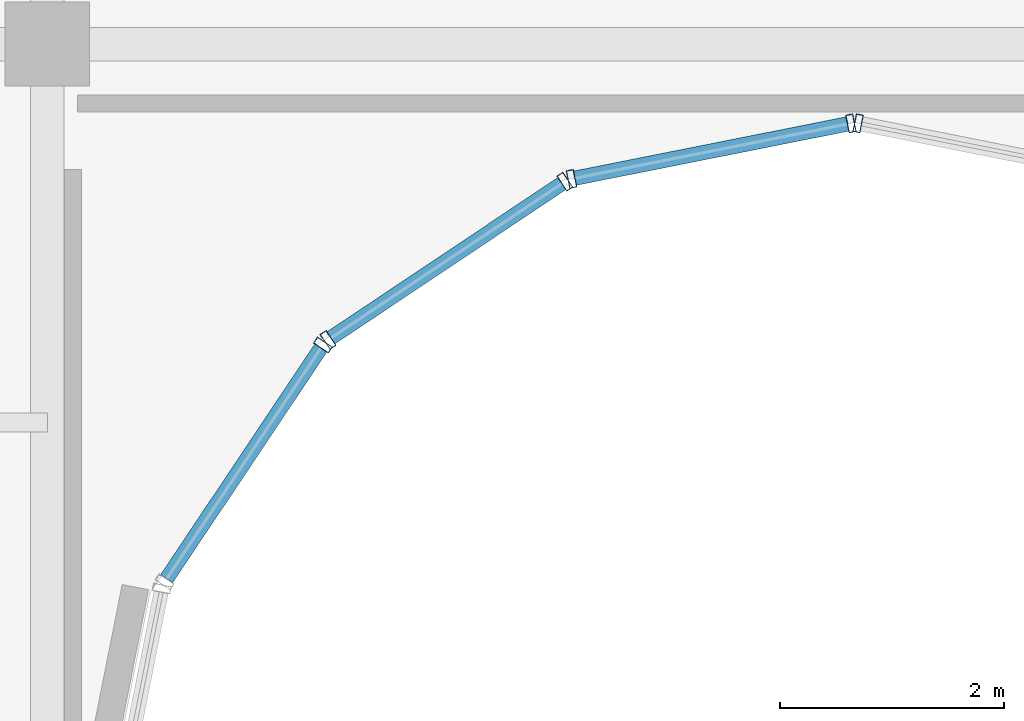
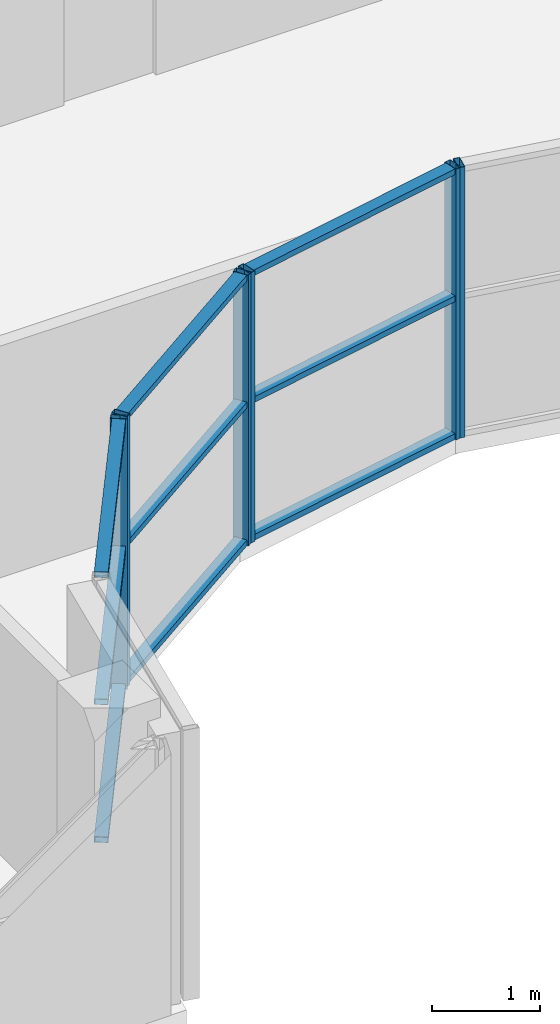
# One storey, part 5 of 29: 15 members, 4 elements without a shape of their own.
"""IFC4 building model written with IfcOpenShell, lengths in metres."""

from ifc_helpers import new_model, si_unit, direction, frame, origin, origin_2d, place, context, subcontext, project, spatial, hollow_rectangle, extrude, source, transform, mapped, material, layer, layer_set, material_profile, profile_set, type_object, element, aggregate, save


model = new_model("IFC4")

# Units and contexts
model_context = context("Model", 3, precision=1e-05, world=origin(), true_north=direction((0.0, 1.0)))
body_context = subcontext(model_context, "Body", "Model", "MODEL_VIEW")
ifc_project = project(units=[si_unit("LENGTHUNIT", "METRE"), si_unit("AREAUNIT", "SQUARE_METRE"), si_unit("VOLUMEUNIT", "CUBIC_METRE"), si_unit("PLANEANGLEUNIT", "RADIAN"), si_unit("MASSUNIT", "GRAM", prefix="KILO")], contexts=[model_context])

# Site, building, storey
site_placement = place(None, origin())
site = spatial("IfcSite", under=ifc_project, at=site_placement, CompositionType="ELEMENT")
building_placement = place(site_placement, origin())
building = spatial("IfcBuilding", under=site, at=building_placement, Name="Zarnakvel Exchange Tower", CompositionType="ELEMENT")
storey_placement = place(building_placement, frame((0.0, 0.0, 258.39990234375)))
storey = spatial("IfcBuildingStorey", under=building, at=storey_placement, Name="L73", CompositionType="ELEMENT", Elevation=258.39990234375)

# Curtain wall, member
ifc_material = material(Name="Architectural Bronze Anodised Aluminium", Category="aluminium")
ifc_layer = layer(ifc_material, 0.159912109375)
ifc_layer_set = layer_set([ifc_layer], Name="Architectural Bronze Anodised Aluminium")
curtain_wall_type = type_object("IfcCurtainWallType", Name="CW-06", PredefinedType="NOTDEFINED", material=ifc_layer_set)
curtain_wall_1_placement = place(storey_placement, origin())
curtain_wall_1 = element("IfcCurtainWall", 1, at=curtain_wall_1_placement, inside=storey, type_object=curtain_wall_type, Name="L73 Curtain Wall CW-L73-NC2 (CW-06)", PredefinedType="NOTDEFINED")
ifc_material_profile_1 = material_profile(ifc_material, hollow_rectangle(XDim=0.159912109375, YDim=0.06494140625, WallThickness=0.00390625, at=origin_2d()))
ifc_profile_set_1 = profile_set([ifc_material_profile_1], Name="Architectural Bronze Anodised Aluminium")
member_type_1 = type_object("IfcMemberType", Name="CWM-06", PredefinedType="MULLION", material=ifc_profile_set_1)
shared_shape_1 = source(origin(), body_context, "Body", "SweptSolid", [
    extrude(hollow_rectangle(XDim=0.159912109375, YDim=0.06494140625, WallThickness=0.00390625, at=origin_2d()), origin(), (0.0, 0.0, 1.0), 3.05517578125),
])
member_1_placement = place(storey_placement, frame((-4.741455078125, -12.283447265625, 0.0), z_axis=(0.0, 0.0, 1.0), x_axis=(-0.831469612089, 0.555570233339, 0.0)))
member_1 = element("IfcMember", 2, at=member_1_placement, type_object=member_type_1, Name="CW-06 mullion 2", PredefinedType="MULLION", context=body_context, shape_type="MappedRepresentation", body=[
    mapped(shared_shape_1, transform((0.0, 0.0, 0.0), x_axis=(1.0, 0.0, 0.0), y_axis=(0.0, 1.0, 0.0), z_axis=(0.0, 0.0, 1.0), scale=1.0)),
])

# Curtain wall, members
curtain_wall_2_placement = place(storey_placement, origin())
curtain_wall_2 = element("IfcCurtainWall", 3, at=curtain_wall_2_placement, inside=storey, type_object=curtain_wall_type, Name="L73 Curtain Wall CW-L73-NC3 (CW-06)", PredefinedType="NOTDEFINED")
member_2_placement = place(storey_placement, frame((-4.696533203125, -12.238525390625, 0.0), z_axis=(0.0, 0.0, 1.0), x_axis=(-0.555570233339, 0.831469612089, 0.0)))
member_2 = element("IfcMember", 4, at=member_2_placement, type_object=member_type_1, Name="CW-06 mullion 1", PredefinedType="MULLION", context=body_context, shape_type="MappedRepresentation", body=[
    mapped(shared_shape_1, transform((0.0, 0.0, 0.0), x_axis=(1.0, 0.0, 0.0), y_axis=(0.0, 1.0, 0.0), z_axis=(0.0, 0.0, 1.0), scale=1.0)),
])
member_3_placement = place(storey_placement, frame((-2.583251953125, -10.82666015625, 0.0), z_axis=(0.0, 0.0, 1.0), x_axis=(-0.555570233339, 0.831469612089, 0.0)))
member_3 = element("IfcMember", 5, at=member_3_placement, type_object=member_type_1, Name="CW-06 mullion 2", PredefinedType="MULLION", context=body_context, shape_type="MappedRepresentation", body=[
    mapped(shared_shape_1, transform((0.0, 0.0, 0.0), x_axis=(1.0, 0.0, 0.0), y_axis=(0.0, 1.0, 0.0), z_axis=(0.0, 0.0, 1.0), scale=1.0)),
])

curtain_wall_3_placement = place(storey_placement, origin())
curtain_wall_3 = element("IfcCurtainWall", 6, at=curtain_wall_3_placement, inside=storey, type_object=curtain_wall_type, Name="L73 Curtain Wall CW-L73-NC4 (CW-06)", PredefinedType="NOTDEFINED")
member_4_placement = place(storey_placement, frame((-2.5244140625, -10.80224609375, 0.0), z_axis=(0.0, 0.0, 1.0), x_axis=(-0.195090448398, 0.980785255264, 0.0)))
member_4 = element("IfcMember", 7, at=member_4_placement, type_object=member_type_1, Name="CW-06 mullion 1", PredefinedType="MULLION", context=body_context, shape_type="MappedRepresentation", body=[
    mapped(shared_shape_1, transform((0.0, 0.0, 0.0), x_axis=(1.0, 0.0, 0.0), y_axis=(0.0, 1.0, 0.0), z_axis=(0.0, 0.0, 1.0), scale=1.0)),
])
member_5_placement = place(storey_placement, frame((-0.031982421875, -10.306396484375, 0.0), z_axis=(0.0, 0.0, 1.0), x_axis=(-0.195090448398, 0.980785255264, 0.0)))
member_5 = element("IfcMember", 8, at=member_5_placement, type_object=member_type_1, Name="CW-06 mullion 2", PredefinedType="MULLION", context=body_context, shape_type="MappedRepresentation", body=[
    mapped(shared_shape_1, transform((0.0, 0.0, 0.0), x_axis=(1.0, 0.0, 0.0), y_axis=(0.0, 1.0, 0.0), z_axis=(0.0, 0.0, 1.0), scale=1.0)),
])

# Curtain wall, member
curtain_wall_4_placement = place(storey_placement, origin())
curtain_wall_4 = element("IfcCurtainWall", 9, at=curtain_wall_4_placement, inside=storey, type_object=curtain_wall_type, Name="L73 Curtain Wall CW-L73-NC5 (CW-06)", PredefinedType="NOTDEFINED")
member_6_placement = place(storey_placement, frame((0.031982421875, -10.306396484375, 0.0), z_axis=(0.0, 0.0, 1.0), x_axis=(0.195090448398, 0.980785255264, 0.0)))
member_6 = element("IfcMember", 10, at=member_6_placement, type_object=member_type_1, Name="CW-06 mullion 1", PredefinedType="MULLION", context=body_context, shape_type="MappedRepresentation", body=[
    mapped(shared_shape_1, transform((0.0, 0.0, 0.0), x_axis=(1.0, 0.0, 0.0), y_axis=(0.0, 1.0, 0.0), z_axis=(0.0, 0.0, 1.0), scale=1.0)),
])
aggregate(curtain_wall_4, [member_6])

# Member
ifc_material_profile_2 = material_profile(ifc_material, hollow_rectangle(XDim=0.1298828125, YDim=0.06494140625, WallThickness=0.00390625, at=origin_2d()))
ifc_profile_set_2 = profile_set([ifc_material_profile_2], Name="Architectural Bronze Anodised Aluminium")
member_type_2 = type_object("IfcMemberType", Name="CWT-06", PredefinedType="USERDEFINED", material=ifc_profile_set_2)
shared_shape_2 = source(origin(), body_context, "Body", "SweptSolid", [
    extrude(hollow_rectangle(XDim=0.1298828125, YDim=0.06494140625, WallThickness=0.00390625, at=origin_2d()), origin(), (0.0, 0.0, 1.0), 2.4765625),
])
member_7_placement = place(storey_placement, frame((-6.135498046875, -14.36962890625, 0.03271484375), z_axis=(0.555609854963, 0.831443136401, 0.0), x_axis=(-0.831443136401, 0.555609854963, 0.0)))
member_7 = element("IfcMember", 11, at=member_7_placement, type_object=member_type_2, Name="CW-06 transom 1.1", ObjectType="TRANSOM", PredefinedType="USERDEFINED", context=body_context, shape_type="MappedRepresentation", body=[
    mapped(shared_shape_2, transform((0.0, 0.0, 0.0), x_axis=(1.0, 0.0, 0.0), y_axis=(0.0, 1.0, 0.0), z_axis=(0.0, 0.0, 1.0), scale=1.0)),
])

member_8_placement = place(storey_placement, frame((-6.135498046875, -14.36962890625, 1.588623046875), z_axis=(0.555609854963, 0.831443136401, 0.0), x_axis=(-0.831443136401, 0.555609854963, 0.0)))
member_8 = element("IfcMember", 12, at=member_8_placement, type_object=member_type_2, Name="CW-06 transom 1.2", ObjectType="TRANSOM", PredefinedType="USERDEFINED", context=body_context, shape_type="MappedRepresentation", body=[
    mapped(shared_shape_2, transform((0.0, 0.0, 0.0), x_axis=(1.0, 0.0, 0.0), y_axis=(0.0, 1.0, 0.0), z_axis=(0.0, 0.0, 1.0), scale=1.0)),
])

member_9_placement = place(storey_placement, frame((-6.135498046875, -14.36962890625, 3.022705078125), z_axis=(0.555609854963, 0.831443136401, 0.0), x_axis=(-0.831443136401, 0.555609854963, 0.0)))
member_9 = element("IfcMember", 13, at=member_9_placement, type_object=member_type_2, Name="CW-06 transom 1.3", ObjectType="TRANSOM", PredefinedType="USERDEFINED", context=body_context, shape_type="MappedRepresentation", body=[
    mapped(shared_shape_2, transform((0.0, 0.0, 0.0), x_axis=(1.0, 0.0, 0.0), y_axis=(0.0, 1.0, 0.0), z_axis=(0.0, 0.0, 1.0), scale=1.0)),
])

aggregate(curtain_wall_1, [member_1, member_7, member_8, member_9])

member_10_placement = place(storey_placement, frame((-4.66943359375, -12.220458984375, 0.03271484375), z_axis=(0.831443136401, 0.555609854963, 0.0), x_axis=(-0.555609854963, 0.831443136401, 0.0)))
member_10 = element("IfcMember", 14, at=member_10_placement, type_object=member_type_2, Name="CW-06 transom 1.1", ObjectType="TRANSOM", PredefinedType="USERDEFINED", context=body_context, shape_type="MappedRepresentation", body=[
    mapped(shared_shape_2, transform((0.0, 0.0, 0.0), x_axis=(1.0, 0.0, 0.0), y_axis=(0.0, 1.0, 0.0), z_axis=(0.0, 0.0, 1.0), scale=1.0)),
])

member_11_placement = place(storey_placement, frame((-4.66943359375, -12.220458984375, 1.588623046875), z_axis=(0.831443136401, 0.555609854963, 0.0), x_axis=(-0.555609854963, 0.831443136401, 0.0)))
member_11 = element("IfcMember", 15, at=member_11_placement, type_object=member_type_2, Name="CW-06 transom 1.2", ObjectType="TRANSOM", PredefinedType="USERDEFINED", context=body_context, shape_type="MappedRepresentation", body=[
    mapped(shared_shape_2, transform((0.0, 0.0, 0.0), x_axis=(1.0, 0.0, 0.0), y_axis=(0.0, 1.0, 0.0), z_axis=(0.0, 0.0, 1.0), scale=1.0)),
])

member_12_placement = place(storey_placement, frame((-4.66943359375, -12.220458984375, 3.022705078125), z_axis=(0.831443136401, 0.555609854963, 0.0), x_axis=(-0.555609854963, 0.831443136401, 0.0)))
member_12 = element("IfcMember", 16, at=member_12_placement, type_object=member_type_2, Name="CW-06 transom 1.3", ObjectType="TRANSOM", PredefinedType="USERDEFINED", context=body_context, shape_type="MappedRepresentation", body=[
    mapped(shared_shape_2, transform((0.0, 0.0, 0.0), x_axis=(1.0, 0.0, 0.0), y_axis=(0.0, 1.0, 0.0), z_axis=(0.0, 0.0, 1.0), scale=1.0)),
])

aggregate(curtain_wall_2, [member_2, member_3, member_10, member_11, member_12])

member_13_placement = place(storey_placement, frame((-2.49267578125, -10.7958984375, 0.03271484375), z_axis=(0.980784886983, 0.195092299863, 0.0), x_axis=(-0.195092299863, 0.980784886983, 0.0)))
member_13 = element("IfcMember", 17, at=member_13_placement, type_object=member_type_2, Name="CW-06 transom 1.1", ObjectType="TRANSOM", PredefinedType="USERDEFINED", context=body_context, shape_type="MappedRepresentation", body=[
    mapped(shared_shape_2, transform((0.0, 0.0, 0.0), x_axis=(1.0, 0.0, 0.0), y_axis=(0.0, 1.0, 0.0), z_axis=(0.0, 0.0, 1.0), scale=1.0)),
])

member_14_placement = place(storey_placement, frame((-2.49267578125, -10.7958984375, 1.588623046875), z_axis=(0.980784886983, 0.195092299863, 0.0), x_axis=(-0.195092299863, 0.980784886983, 0.0)))
member_14 = element("IfcMember", 18, at=member_14_placement, type_object=member_type_2, Name="CW-06 transom 1.2", ObjectType="TRANSOM", PredefinedType="USERDEFINED", context=body_context, shape_type="MappedRepresentation", body=[
    mapped(shared_shape_2, transform((0.0, 0.0, 0.0), x_axis=(1.0, 0.0, 0.0), y_axis=(0.0, 1.0, 0.0), z_axis=(0.0, 0.0, 1.0), scale=1.0)),
])

member_15_placement = place(storey_placement, frame((-2.49267578125, -10.7958984375, 3.022705078125), z_axis=(0.980784886983, 0.195092299863, 0.0), x_axis=(-0.195092299863, 0.980784886983, 0.0)))
member_15 = element("IfcMember", 19, at=member_15_placement, type_object=member_type_2, Name="CW-06 transom 1.3", ObjectType="TRANSOM", PredefinedType="USERDEFINED", context=body_context, shape_type="MappedRepresentation", body=[
    mapped(shared_shape_2, transform((0.0, 0.0, 0.0), x_axis=(1.0, 0.0, 0.0), y_axis=(0.0, 1.0, 0.0), z_axis=(0.0, 0.0, 1.0), scale=1.0)),
])

aggregate(curtain_wall_3, [member_4, member_5, member_13, member_14, member_15])

save(model, "model.ifc")
